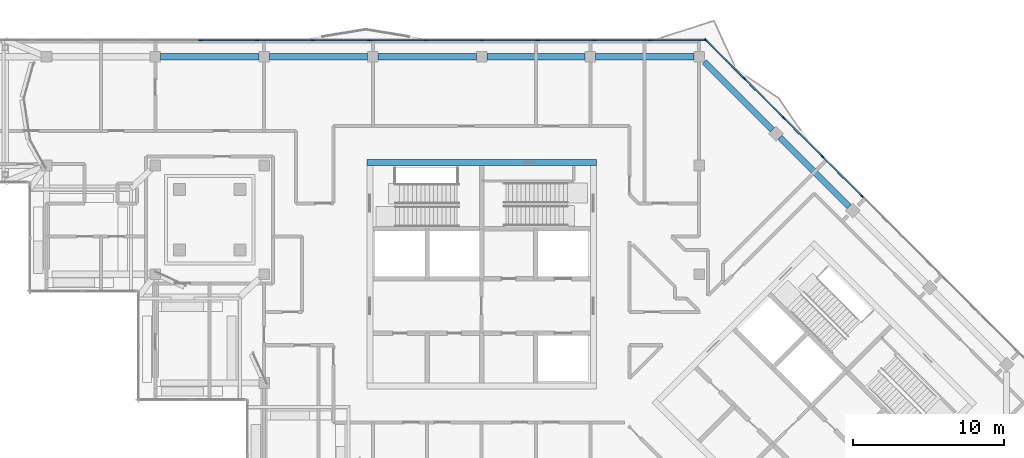
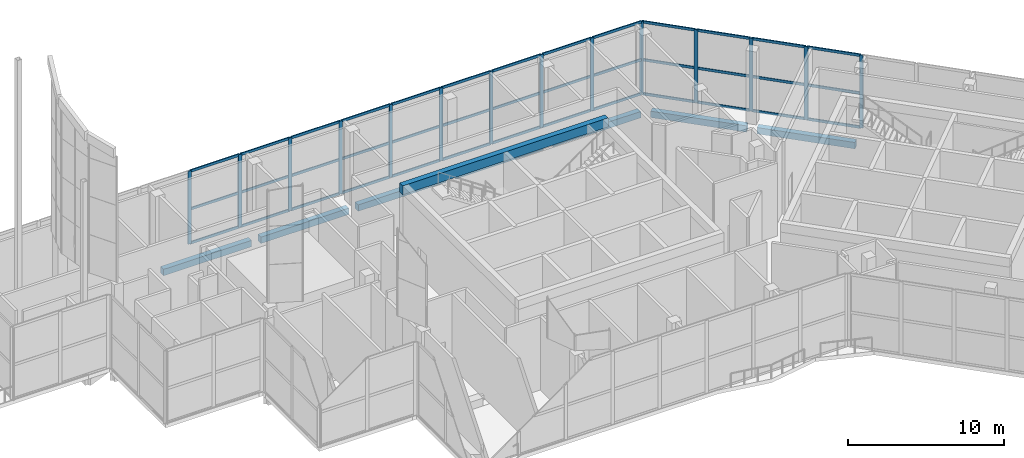
# One storey, part 7 of 19: 53 members, 8 beams, 2 elements without a shape of their own.
"""IFC4 building model written with IfcOpenShell, lengths in metres."""

from ifc_helpers import new_model, si_unit, direction, frame, origin, origin_2d, place, context, subcontext, project, spatial, rectangle, extrude, material, material_profile, profile_set, type_object, element, aggregate, save


model = new_model("IFC4")

# Units and contexts
model_context = context("Model", 3, precision=1e-05, world=origin(), true_north=direction((0.0, 1.0)))
body_context = subcontext(model_context, "Body", "Model", "MODEL_VIEW")
ifc_project = project(units=[si_unit("LENGTHUNIT", "METRE"), si_unit("AREAUNIT", "SQUARE_METRE"), si_unit("VOLUMEUNIT", "CUBIC_METRE"), si_unit("PLANEANGLEUNIT", "RADIAN"), si_unit("MASSUNIT", "GRAM", prefix="KILO")], contexts=[model_context])

# Site, building, storey
site_placement = place(None, origin())
site = spatial("IfcSite", under=ifc_project, at=site_placement, CompositionType="ELEMENT")
building_placement = place(site_placement, origin())
building = spatial("IfcBuilding", under=site, at=building_placement, Name="Windrow Commons", CompositionType="ELEMENT")
storey_placement = place(building_placement, frame((0.0, 0.0, 284.6)))
storey = spatial("IfcBuildingStorey", under=building, at=storey_placement, Name="L78", CompositionType="ELEMENT", Elevation=284.6)

# Curtain wall, members
ifc_material_1 = material(Name="Clear laminated glass in Aluminium 6063-T6 anodised frame", Category="aluminium")
curtain_wall_type = type_object("IfcCurtainWallType", Name="Curtain wall CW3 damper floor", PredefinedType="USERDEFINED", material=ifc_material_1)
placement = place(storey_placement, origin())
curtain_wall_1 = element("IfcCurtainWall", 1, at=placement, inside=storey, type_object=curtain_wall_type, Name="Curtain wall CW3 L78 4", ObjectType="STRUCTURAL SILICONE", PredefinedType="USERDEFINED")
ifc_material_2 = material(Name="Aluminium 6063-T6", Category="aluminium")
ifc_material_profile_1 = material_profile(ifc_material_2, rectangle(XDim=0.08, YDim=0.25, at=origin_2d()))
ifc_profile_set_1 = profile_set([ifc_material_profile_1], Name="Aluminium 6063-T6")
member_type_1 = type_object("IfcMemberType", Name="CW3 mullion 80x250", PredefinedType="MULLION", material=ifc_profile_set_1)
member_1_placement = place(storey_placement, frame((89.9649, 62.7908, 0.0), z_axis=(0.0, 0.0, 1.0), x_axis=(-0.7071067812, -0.7071067812, 0.0)))
member_1 = element("IfcMember", 2, at=member_1_placement, type_object=member_type_1, Name="CW3 mullion 6", PredefinedType="MULLION", context=body_context, shape_type="SweptSolid", body=[
    extrude(rectangle(XDim=0.08, YDim=0.25, at=origin_2d()), origin(), (0.0, 0.0, 1.0), 5.7),
])
member_2_placement = place(storey_placement, frame((87.3803, 65.3754, 0.0), z_axis=(0.0, 0.0, 1.0), x_axis=(-0.7071067812, -0.7071067812, 0.0)))
member_2 = element("IfcMember", 3, at=member_2_placement, type_object=member_type_1, Name="CW3 mullion 7", PredefinedType="MULLION", context=body_context, shape_type="SweptSolid", body=[
    extrude(rectangle(XDim=0.08, YDim=0.25, at=origin_2d()), origin(), (0.0, 0.0, 1.0), 5.7),
])
member_3_placement = place(storey_placement, frame((84.7957, 67.96, 0.0), z_axis=(0.0, 0.0, 1.0), x_axis=(-0.7071067812, -0.7071067812, 0.0)))
member_3 = element("IfcMember", 4, at=member_3_placement, type_object=member_type_1, Name="CW3 mullion 8", PredefinedType="MULLION", context=body_context, shape_type="SweptSolid", body=[
    extrude(rectangle(XDim=0.08, YDim=0.25, at=origin_2d()), origin(), (0.0, 0.0, 1.0), 5.7),
])
member_4_placement = place(storey_placement, frame((82.211, 70.5447, 0.0), z_axis=(0.0, 0.0, 1.0), x_axis=(-0.7071067812, -0.7071067812, 0.0)))
member_4 = element("IfcMember", 5, at=member_4_placement, type_object=member_type_1, Name="CW3 mullion 9", PredefinedType="MULLION", context=body_context, shape_type="SweptSolid", body=[
    extrude(rectangle(XDim=0.08, YDim=0.25, at=origin_2d()), origin(), (0.0, 0.0, 1.0), 5.7),
])
member_5_placement = place(storey_placement, frame((79.6547, 73.101, 0.0), z_axis=(0.0, 0.0, 1.0), x_axis=(-0.7071067812, -0.7071067812, 0.0)))
member_5 = element("IfcMember", 6, at=member_5_placement, type_object=member_type_1, Name="CW3 mullion 10", PredefinedType="MULLION", context=body_context, shape_type="SweptSolid", body=[
    extrude(rectangle(XDim=0.08, YDim=0.25, at=origin_2d()), origin(), (0.0, 0.0, 1.0), 5.7),
])

curtain_wall_2 = element("IfcCurtainWall", 7, at=placement, inside=storey, type_object=curtain_wall_type, Name="Curtain wall CW3 L78 5", ObjectType="STRUCTURAL SILICONE", PredefinedType="USERDEFINED")
member_6_placement = place(storey_placement, frame((75.9759, 73.1, 0.0), z_axis=(0.0, 0.0, 1.0), x_axis=(0.0, -1.0, 0.0)))
member_6 = element("IfcMember", 8, at=member_6_placement, type_object=member_type_1, Name="CW3 mullion 2", PredefinedType="MULLION", context=body_context, shape_type="SweptSolid", body=[
    extrude(rectangle(XDim=0.08, YDim=0.25, at=origin_2d()), origin(), (0.0, 0.0, 1.0), 5.7),
])
member_7_placement = place(storey_placement, frame((72.2547, 73.1, 0.0), z_axis=(0.0, 0.0, 1.0), x_axis=(0.0, -1.0, 0.0)))
member_7 = element("IfcMember", 9, at=member_7_placement, type_object=member_type_1, Name="CW3 mullion 3", PredefinedType="MULLION", context=body_context, shape_type="SweptSolid", body=[
    extrude(rectangle(XDim=0.08, YDim=0.25, at=origin_2d()), origin(), (0.0, 0.0, 1.0), 5.7),
])
member_8_placement = place(storey_placement, frame((68.5334, 73.1, 0.0), z_axis=(0.0, 0.0, 1.0), x_axis=(0.0, -1.0, 0.0)))
member_8 = element("IfcMember", 10, at=member_8_placement, type_object=member_type_1, Name="CW3 mullion 4", PredefinedType="MULLION", context=body_context, shape_type="SweptSolid", body=[
    extrude(rectangle(XDim=0.08, YDim=0.25, at=origin_2d()), origin(), (0.0, 0.0, 1.0), 5.7),
])
member_9_placement = place(storey_placement, frame((64.8122, 73.1, 0.0), z_axis=(0.0, 0.0, 1.0), x_axis=(0.0, -1.0, 0.0)))
member_9 = element("IfcMember", 11, at=member_9_placement, type_object=member_type_1, Name="CW3 mullion 5", PredefinedType="MULLION", context=body_context, shape_type="SweptSolid", body=[
    extrude(rectangle(XDim=0.08, YDim=0.25, at=origin_2d()), origin(), (0.0, 0.0, 1.0), 5.7),
])
member_10_placement = place(storey_placement, frame((61.091, 73.1, 0.0), z_axis=(0.0, 0.0, 1.0), x_axis=(0.0, -1.0, 0.0)))
member_10 = element("IfcMember", 12, at=member_10_placement, type_object=member_type_1, Name="CW3 mullion 6", PredefinedType="MULLION", context=body_context, shape_type="SweptSolid", body=[
    extrude(rectangle(XDim=0.08, YDim=0.25, at=origin_2d()), origin(), (0.0, 0.0, 1.0), 5.7),
])
member_11_placement = place(storey_placement, frame((57.3698, 73.1, 0.0), z_axis=(0.0, 0.0, 1.0), x_axis=(0.0, -1.0, 0.0)))
member_11 = element("IfcMember", 13, at=member_11_placement, type_object=member_type_1, Name="CW3 mullion 7", PredefinedType="MULLION", context=body_context, shape_type="SweptSolid", body=[
    extrude(rectangle(XDim=0.08, YDim=0.25, at=origin_2d()), origin(), (0.0, 0.0, 1.0), 5.7),
])
member_12_placement = place(storey_placement, frame((53.6486, 73.1, 0.0), z_axis=(0.0, 0.0, 1.0), x_axis=(0.0, -1.0, 0.0)))
member_12 = element("IfcMember", 14, at=member_12_placement, type_object=member_type_1, Name="CW3 mullion 8", PredefinedType="MULLION", context=body_context, shape_type="SweptSolid", body=[
    extrude(rectangle(XDim=0.08, YDim=0.25, at=origin_2d()), origin(), (0.0, 0.0, 1.0), 5.7),
])
member_13_placement = place(storey_placement, frame((49.9273, 73.1, 0.0), z_axis=(0.0, 0.0, 1.0), x_axis=(0.0, -1.0, 0.0)))
member_13 = element("IfcMember", 15, at=member_13_placement, type_object=member_type_1, Name="CW3 mullion 9", PredefinedType="MULLION", context=body_context, shape_type="SweptSolid", body=[
    extrude(rectangle(XDim=0.08, YDim=0.25, at=origin_2d()), origin(), (0.0, 0.0, 1.0), 5.7),
])
member_14_placement = place(storey_placement, frame((46.2061, 73.1, 0.0), z_axis=(0.0, 0.0, 1.0), x_axis=(0.0, -1.0, 0.0)))
member_14 = element("IfcMember", 16, at=member_14_placement, type_object=member_type_1, Name="CW3 mullion 10", PredefinedType="MULLION", context=body_context, shape_type="SweptSolid", body=[
    extrude(rectangle(XDim=0.08, YDim=0.25, at=origin_2d()), origin(), (0.0, 0.0, 1.0), 5.7),
])

# Member
ifc_material_3 = material(Name="Aluminium 6063-T6", Category="aluminium")
ifc_material_profile_2 = material_profile(ifc_material_3, rectangle(XDim=0.08, YDim=0.2, at=origin_2d()))
ifc_profile_set_2 = profile_set([ifc_material_profile_2], Name="Aluminium 6063-T6")
member_type_2 = type_object("IfcMemberType", Name="CW3 transom 80x200", PredefinedType="USERDEFINED", material=ifc_profile_set_2)
member_15_placement = place(storey_placement, frame((89.9366, 62.819, 0.04), z_axis=(-0.7070927958, 0.7071207663, 0.0), x_axis=(-0.7071207663, -0.7070927958, 0.0)))
member_15 = element("IfcMember", 17, at=member_15_placement, type_object=member_type_2, Name="CW3 transom 6.1", ObjectType="TRANSOM", PredefinedType="USERDEFINED", context=body_context, shape_type="SweptSolid", body=[
    extrude(rectangle(XDim=0.08, YDim=0.2, at=origin_2d()), origin(), (0.0, 0.0, 1.0), 3.5752),
])

member_16_placement = place(storey_placement, frame((89.9366, 62.819, 2.7), z_axis=(-0.7070927958, 0.7071207663, 0.0), x_axis=(-0.7071207663, -0.7070927958, 0.0)))
member_16 = element("IfcMember", 18, at=member_16_placement, type_object=member_type_2, Name="CW3 transom 6.2", ObjectType="TRANSOM", PredefinedType="USERDEFINED", context=body_context, shape_type="SweptSolid", body=[
    extrude(rectangle(XDim=0.08, YDim=0.2, at=origin_2d()), origin(), (0.0, 0.0, 1.0), 3.5752),
])

member_17_placement = place(storey_placement, frame((89.9366, 62.819, 5.66), z_axis=(-0.7070927958, 0.7071207663, 0.0), x_axis=(-0.7071207663, -0.7070927958, 0.0)))
member_17 = element("IfcMember", 19, at=member_17_placement, type_object=member_type_2, Name="CW3 transom 6.3", ObjectType="TRANSOM", PredefinedType="USERDEFINED", context=body_context, shape_type="SweptSolid", body=[
    extrude(rectangle(XDim=0.08, YDim=0.2, at=origin_2d()), origin(), (0.0, 0.0, 1.0), 3.5752),
])

member_18_placement = place(storey_placement, frame((87.352, 65.4037, 0.04), z_axis=(-0.7071207663, 0.7070927958, 0.0), x_axis=(-0.7070927958, -0.7071207663, 0.0)))
member_18 = element("IfcMember", 20, at=member_18_placement, type_object=member_type_2, Name="CW3 transom 7.1", ObjectType="TRANSOM", PredefinedType="USERDEFINED", context=body_context, shape_type="SweptSolid", body=[
    extrude(rectangle(XDim=0.08, YDim=0.2, at=origin_2d()), origin(), (0.0, 0.0, 1.0), 3.5752),
])

member_19_placement = place(storey_placement, frame((87.352, 65.4037, 2.7), z_axis=(-0.7071207663, 0.7070927958, 0.0), x_axis=(-0.7070927958, -0.7071207663, 0.0)))
member_19 = element("IfcMember", 21, at=member_19_placement, type_object=member_type_2, Name="CW3 transom 7.2", ObjectType="TRANSOM", PredefinedType="USERDEFINED", context=body_context, shape_type="SweptSolid", body=[
    extrude(rectangle(XDim=0.08, YDim=0.2, at=origin_2d()), origin(), (0.0, 0.0, 1.0), 3.5752),
])

member_20_placement = place(storey_placement, frame((87.352, 65.4037, 5.66), z_axis=(-0.7071207663, 0.7070927958, 0.0), x_axis=(-0.7070927958, -0.7071207663, 0.0)))
member_20 = element("IfcMember", 22, at=member_20_placement, type_object=member_type_2, Name="CW3 transom 7.3", ObjectType="TRANSOM", PredefinedType="USERDEFINED", context=body_context, shape_type="SweptSolid", body=[
    extrude(rectangle(XDim=0.08, YDim=0.2, at=origin_2d()), origin(), (0.0, 0.0, 1.0), 3.5752),
])

member_21_placement = place(storey_placement, frame((84.7674, 67.9883, 0.04), z_axis=(-0.7071067812, 0.7071067812, 0.0), x_axis=(-0.7071067812, -0.7071067812, 0.0)))
member_21 = element("IfcMember", 23, at=member_21_placement, type_object=member_type_2, Name="CW3 transom 8.1", ObjectType="TRANSOM", PredefinedType="USERDEFINED", context=body_context, shape_type="SweptSolid", body=[
    extrude(rectangle(XDim=0.08, YDim=0.2, at=origin_2d()), origin(), (0.0, 0.0, 1.0), 3.5753),
])

member_22_placement = place(storey_placement, frame((84.7674, 67.9883, 2.7), z_axis=(-0.7071067812, 0.7071067812, 0.0), x_axis=(-0.7071067812, -0.7071067812, 0.0)))
member_22 = element("IfcMember", 24, at=member_22_placement, type_object=member_type_2, Name="CW3 transom 8.2", ObjectType="TRANSOM", PredefinedType="USERDEFINED", context=body_context, shape_type="SweptSolid", body=[
    extrude(rectangle(XDim=0.08, YDim=0.2, at=origin_2d()), origin(), (0.0, 0.0, 1.0), 3.5753),
])

member_23_placement = place(storey_placement, frame((84.7674, 67.9883, 5.66), z_axis=(-0.7071067812, 0.7071067812, 0.0), x_axis=(-0.7071067812, -0.7071067812, 0.0)))
member_23 = element("IfcMember", 25, at=member_23_placement, type_object=member_type_2, Name="CW3 transom 8.3", ObjectType="TRANSOM", PredefinedType="USERDEFINED", context=body_context, shape_type="SweptSolid", body=[
    extrude(rectangle(XDim=0.08, YDim=0.2, at=origin_2d()), origin(), (0.0, 0.0, 1.0), 3.5753),
])

member_24_placement = place(storey_placement, frame((82.1827, 70.5729, 0.04), z_axis=(-0.7070926375, 0.7071209246, 0.0), x_axis=(-0.7071209246, -0.7070926375, 0.0)))
member_24 = element("IfcMember", 26, at=member_24_placement, type_object=member_type_2, Name="CW3 transom 9.1", ObjectType="TRANSOM", PredefinedType="USERDEFINED", context=body_context, shape_type="SweptSolid", body=[
    extrude(rectangle(XDim=0.08, YDim=0.2, at=origin_2d()), origin(), (0.0, 0.0, 1.0), 3.5352),
])

member_25_placement = place(storey_placement, frame((82.1827, 70.5729, 2.7), z_axis=(-0.7070926375, 0.7071209246, 0.0), x_axis=(-0.7071209246, -0.7070926375, 0.0)))
member_25 = element("IfcMember", 27, at=member_25_placement, type_object=member_type_2, Name="CW3 transom 9.2", ObjectType="TRANSOM", PredefinedType="USERDEFINED", context=body_context, shape_type="SweptSolid", body=[
    extrude(rectangle(XDim=0.08, YDim=0.2, at=origin_2d()), origin(), (0.0, 0.0, 1.0), 3.5352),
])

member_26_placement = place(storey_placement, frame((82.1827, 70.5729, 5.66), z_axis=(-0.7070926375, 0.7071209246, 0.0), x_axis=(-0.7071209246, -0.7070926375, 0.0)))
member_26 = element("IfcMember", 28, at=member_26_placement, type_object=member_type_2, Name="CW3 transom 9.3", ObjectType="TRANSOM", PredefinedType="USERDEFINED", context=body_context, shape_type="SweptSolid", body=[
    extrude(rectangle(XDim=0.08, YDim=0.2, at=origin_2d()), origin(), (0.0, 0.0, 1.0), 3.5352),
])

aggregate(curtain_wall_1, [member_1, member_2, member_3, member_4, member_5, member_15, member_16, member_17, member_18, member_19, member_20, member_21, member_22, member_23, member_24, member_25, member_26])

member_27_placement = place(storey_placement, frame((79.6171, 73.1, 0.04), z_axis=(-1.0, 0.0, 0.0), x_axis=(0.0, -1.0, 0.0)))
member_27 = element("IfcMember", 29, at=member_27_placement, type_object=member_type_2, Name="CW3 transom 1.1", ObjectType="TRANSOM", PredefinedType="USERDEFINED", context=body_context, shape_type="SweptSolid", body=[
    extrude(rectangle(XDim=0.08, YDim=0.2, at=origin_2d()), origin(), (0.0, 0.0, 1.0), 3.6012),
])

member_28_placement = place(storey_placement, frame((79.6171, 73.1, 2.7), z_axis=(-1.0, 0.0, 0.0), x_axis=(0.0, -1.0, 0.0)))
member_28 = element("IfcMember", 30, at=member_28_placement, type_object=member_type_2, Name="CW3 transom 1.2", ObjectType="TRANSOM", PredefinedType="USERDEFINED", context=body_context, shape_type="SweptSolid", body=[
    extrude(rectangle(XDim=0.08, YDim=0.2, at=origin_2d()), origin(), (0.0, 0.0, 1.0), 3.6012),
])

member_29_placement = place(storey_placement, frame((79.6171, 73.1, 5.66), z_axis=(-1.0, 0.0, 0.0), x_axis=(0.0, -1.0, 0.0)))
member_29 = element("IfcMember", 31, at=member_29_placement, type_object=member_type_2, Name="CW3 transom 1.3", ObjectType="TRANSOM", PredefinedType="USERDEFINED", context=body_context, shape_type="SweptSolid", body=[
    extrude(rectangle(XDim=0.08, YDim=0.2, at=origin_2d()), origin(), (0.0, 0.0, 1.0), 3.6012),
])

member_30_placement = place(storey_placement, frame((75.9359, 73.1, 0.04), z_axis=(-1.0, 0.0, 0.0), x_axis=(0.0, -1.0, 0.0)))
member_30 = element("IfcMember", 32, at=member_30_placement, type_object=member_type_2, Name="CW3 transom 2.1", ObjectType="TRANSOM", PredefinedType="USERDEFINED", context=body_context, shape_type="SweptSolid", body=[
    extrude(rectangle(XDim=0.08, YDim=0.2, at=origin_2d()), origin(), (0.0, 0.0, 1.0), 3.6412),
])

member_31_placement = place(storey_placement, frame((75.9359, 73.1, 2.7), z_axis=(-1.0, 0.0, 0.0), x_axis=(0.0, -1.0, 0.0)))
member_31 = element("IfcMember", 33, at=member_31_placement, type_object=member_type_2, Name="CW3 transom 2.2", ObjectType="TRANSOM", PredefinedType="USERDEFINED", context=body_context, shape_type="SweptSolid", body=[
    extrude(rectangle(XDim=0.08, YDim=0.2, at=origin_2d()), origin(), (0.0, 0.0, 1.0), 3.6412),
])

member_32_placement = place(storey_placement, frame((75.9359, 73.1, 5.66), z_axis=(-1.0, 0.0, 0.0), x_axis=(0.0, -1.0, 0.0)))
member_32 = element("IfcMember", 34, at=member_32_placement, type_object=member_type_2, Name="CW3 transom 2.3", ObjectType="TRANSOM", PredefinedType="USERDEFINED", context=body_context, shape_type="SweptSolid", body=[
    extrude(rectangle(XDim=0.08, YDim=0.2, at=origin_2d()), origin(), (0.0, 0.0, 1.0), 3.6412),
])

member_33_placement = place(storey_placement, frame((72.2147, 73.1, 0.04), z_axis=(-1.0, 0.0, 0.0), x_axis=(0.0, -1.0, 0.0)))
member_33 = element("IfcMember", 35, at=member_33_placement, type_object=member_type_2, Name="CW3 transom 3.1", ObjectType="TRANSOM", PredefinedType="USERDEFINED", context=body_context, shape_type="SweptSolid", body=[
    extrude(rectangle(XDim=0.08, YDim=0.2, at=origin_2d()), origin(), (0.0, 0.0, 1.0), 3.6413),
])

member_34_placement = place(storey_placement, frame((72.2147, 73.1, 2.7), z_axis=(-1.0, 0.0, 0.0), x_axis=(0.0, -1.0, 0.0)))
member_34 = element("IfcMember", 36, at=member_34_placement, type_object=member_type_2, Name="CW3 transom 3.2", ObjectType="TRANSOM", PredefinedType="USERDEFINED", context=body_context, shape_type="SweptSolid", body=[
    extrude(rectangle(XDim=0.08, YDim=0.2, at=origin_2d()), origin(), (0.0, 0.0, 1.0), 3.6413),
])

member_35_placement = place(storey_placement, frame((72.2147, 73.1, 5.66), z_axis=(-1.0, 0.0, 0.0), x_axis=(0.0, -1.0, 0.0)))
member_35 = element("IfcMember", 37, at=member_35_placement, type_object=member_type_2, Name="CW3 transom 3.3", ObjectType="TRANSOM", PredefinedType="USERDEFINED", context=body_context, shape_type="SweptSolid", body=[
    extrude(rectangle(XDim=0.08, YDim=0.2, at=origin_2d()), origin(), (0.0, 0.0, 1.0), 3.6413),
])

member_36_placement = place(storey_placement, frame((68.4934, 73.1, 0.04), z_axis=(-1.0, 0.0, 0.0), x_axis=(0.0, -1.0, 0.0)))
member_36 = element("IfcMember", 38, at=member_36_placement, type_object=member_type_2, Name="CW3 transom 4.1", ObjectType="TRANSOM", PredefinedType="USERDEFINED", context=body_context, shape_type="SweptSolid", body=[
    extrude(rectangle(XDim=0.08, YDim=0.2, at=origin_2d()), origin(), (0.0, 0.0, 1.0), 3.6412),
])

member_37_placement = place(storey_placement, frame((68.4934, 73.1, 2.7), z_axis=(-1.0, 0.0, 0.0), x_axis=(0.0, -1.0, 0.0)))
member_37 = element("IfcMember", 39, at=member_37_placement, type_object=member_type_2, Name="CW3 transom 4.2", ObjectType="TRANSOM", PredefinedType="USERDEFINED", context=body_context, shape_type="SweptSolid", body=[
    extrude(rectangle(XDim=0.08, YDim=0.2, at=origin_2d()), origin(), (0.0, 0.0, 1.0), 3.6412),
])

member_38_placement = place(storey_placement, frame((68.4934, 73.1, 5.66), z_axis=(-1.0, 0.0, 0.0), x_axis=(0.0, -1.0, 0.0)))
member_38 = element("IfcMember", 40, at=member_38_placement, type_object=member_type_2, Name="CW3 transom 4.3", ObjectType="TRANSOM", PredefinedType="USERDEFINED", context=body_context, shape_type="SweptSolid", body=[
    extrude(rectangle(XDim=0.08, YDim=0.2, at=origin_2d()), origin(), (0.0, 0.0, 1.0), 3.6412),
])

member_39_placement = place(storey_placement, frame((64.7722, 73.1, 0.04), z_axis=(-1.0, 0.0, 0.0), x_axis=(0.0, -1.0, 0.0)))
member_39 = element("IfcMember", 41, at=member_39_placement, type_object=member_type_2, Name="CW3 transom 5.1", ObjectType="TRANSOM", PredefinedType="USERDEFINED", context=body_context, shape_type="SweptSolid", body=[
    extrude(rectangle(XDim=0.08, YDim=0.2, at=origin_2d()), origin(), (0.0, 0.0, 1.0), 3.6412),
])

member_40_placement = place(storey_placement, frame((64.7722, 73.1, 2.7), z_axis=(-1.0, 0.0, 0.0), x_axis=(0.0, -1.0, 0.0)))
member_40 = element("IfcMember", 42, at=member_40_placement, type_object=member_type_2, Name="CW3 transom 5.2", ObjectType="TRANSOM", PredefinedType="USERDEFINED", context=body_context, shape_type="SweptSolid", body=[
    extrude(rectangle(XDim=0.08, YDim=0.2, at=origin_2d()), origin(), (0.0, 0.0, 1.0), 3.6412),
])

member_41_placement = place(storey_placement, frame((64.7722, 73.1, 5.66), z_axis=(-1.0, 0.0, 0.0), x_axis=(0.0, -1.0, 0.0)))
member_41 = element("IfcMember", 43, at=member_41_placement, type_object=member_type_2, Name="CW3 transom 5.3", ObjectType="TRANSOM", PredefinedType="USERDEFINED", context=body_context, shape_type="SweptSolid", body=[
    extrude(rectangle(XDim=0.08, YDim=0.2, at=origin_2d()), origin(), (0.0, 0.0, 1.0), 3.6412),
])

member_42_placement = place(storey_placement, frame((61.051, 73.1, 0.04), z_axis=(-1.0, 0.0, 0.0), x_axis=(0.0, -1.0, 0.0)))
member_42 = element("IfcMember", 44, at=member_42_placement, type_object=member_type_2, Name="CW3 transom 6.1", ObjectType="TRANSOM", PredefinedType="USERDEFINED", context=body_context, shape_type="SweptSolid", body=[
    extrude(rectangle(XDim=0.08, YDim=0.2, at=origin_2d()), origin(), (0.0, 0.0, 1.0), 3.6412),
])

member_43_placement = place(storey_placement, frame((61.051, 73.1, 2.7), z_axis=(-1.0, 0.0, 0.0), x_axis=(0.0, -1.0, 0.0)))
member_43 = element("IfcMember", 45, at=member_43_placement, type_object=member_type_2, Name="CW3 transom 6.2", ObjectType="TRANSOM", PredefinedType="USERDEFINED", context=body_context, shape_type="SweptSolid", body=[
    extrude(rectangle(XDim=0.08, YDim=0.2, at=origin_2d()), origin(), (0.0, 0.0, 1.0), 3.6412),
])

member_44_placement = place(storey_placement, frame((61.051, 73.1, 5.66), z_axis=(-1.0, 0.0, 0.0), x_axis=(0.0, -1.0, 0.0)))
member_44 = element("IfcMember", 46, at=member_44_placement, type_object=member_type_2, Name="CW3 transom 6.3", ObjectType="TRANSOM", PredefinedType="USERDEFINED", context=body_context, shape_type="SweptSolid", body=[
    extrude(rectangle(XDim=0.08, YDim=0.2, at=origin_2d()), origin(), (0.0, 0.0, 1.0), 3.6412),
])

member_45_placement = place(storey_placement, frame((57.3298, 73.1, 0.04), z_axis=(-1.0, 0.0, 0.0), x_axis=(0.0, -1.0, 0.0)))
member_45 = element("IfcMember", 47, at=member_45_placement, type_object=member_type_2, Name="CW3 transom 7.1", ObjectType="TRANSOM", PredefinedType="USERDEFINED", context=body_context, shape_type="SweptSolid", body=[
    extrude(rectangle(XDim=0.08, YDim=0.2, at=origin_2d()), origin(), (0.0, 0.0, 1.0), 3.6413),
])

member_46_placement = place(storey_placement, frame((57.3298, 73.1, 2.7), z_axis=(-1.0, 0.0, 0.0), x_axis=(0.0, -1.0, 0.0)))
member_46 = element("IfcMember", 48, at=member_46_placement, type_object=member_type_2, Name="CW3 transom 7.2", ObjectType="TRANSOM", PredefinedType="USERDEFINED", context=body_context, shape_type="SweptSolid", body=[
    extrude(rectangle(XDim=0.08, YDim=0.2, at=origin_2d()), origin(), (0.0, 0.0, 1.0), 3.6413),
])

member_47_placement = place(storey_placement, frame((57.3298, 73.1, 5.66), z_axis=(-1.0, 0.0, 0.0), x_axis=(0.0, -1.0, 0.0)))
member_47 = element("IfcMember", 49, at=member_47_placement, type_object=member_type_2, Name="CW3 transom 7.3", ObjectType="TRANSOM", PredefinedType="USERDEFINED", context=body_context, shape_type="SweptSolid", body=[
    extrude(rectangle(XDim=0.08, YDim=0.2, at=origin_2d()), origin(), (0.0, 0.0, 1.0), 3.6413),
])

member_48_placement = place(storey_placement, frame((53.6086, 73.1, 0.04), z_axis=(-1.0, 0.0, 0.0), x_axis=(0.0, -1.0, 0.0)))
member_48 = element("IfcMember", 50, at=member_48_placement, type_object=member_type_2, Name="CW3 transom 8.1", ObjectType="TRANSOM", PredefinedType="USERDEFINED", context=body_context, shape_type="SweptSolid", body=[
    extrude(rectangle(XDim=0.08, YDim=0.2, at=origin_2d()), origin(), (0.0, 0.0, 1.0), 3.6413),
])

member_49_placement = place(storey_placement, frame((53.6086, 73.1, 2.7), z_axis=(-1.0, 0.0, 0.0), x_axis=(0.0, -1.0, 0.0)))
member_49 = element("IfcMember", 51, at=member_49_placement, type_object=member_type_2, Name="CW3 transom 8.2", ObjectType="TRANSOM", PredefinedType="USERDEFINED", context=body_context, shape_type="SweptSolid", body=[
    extrude(rectangle(XDim=0.08, YDim=0.2, at=origin_2d()), origin(), (0.0, 0.0, 1.0), 3.6413),
])

member_50_placement = place(storey_placement, frame((53.6086, 73.1, 5.66), z_axis=(-1.0, 0.0, 0.0), x_axis=(0.0, -1.0, 0.0)))
member_50 = element("IfcMember", 52, at=member_50_placement, type_object=member_type_2, Name="CW3 transom 8.3", ObjectType="TRANSOM", PredefinedType="USERDEFINED", context=body_context, shape_type="SweptSolid", body=[
    extrude(rectangle(XDim=0.08, YDim=0.2, at=origin_2d()), origin(), (0.0, 0.0, 1.0), 3.6413),
])

member_51_placement = place(storey_placement, frame((49.8873, 73.1, 0.04), z_axis=(-1.0, 0.0, 0.0), x_axis=(0.0, -1.0, 0.0)))
member_51 = element("IfcMember", 53, at=member_51_placement, type_object=member_type_2, Name="CW3 transom 9.1", ObjectType="TRANSOM", PredefinedType="USERDEFINED", context=body_context, shape_type="SweptSolid", body=[
    extrude(rectangle(XDim=0.08, YDim=0.2, at=origin_2d()), origin(), (0.0, 0.0, 1.0), 3.6412),
])

member_52_placement = place(storey_placement, frame((49.8873, 73.1, 2.7), z_axis=(-1.0, 0.0, 0.0), x_axis=(0.0, -1.0, 0.0)))
member_52 = element("IfcMember", 54, at=member_52_placement, type_object=member_type_2, Name="CW3 transom 9.2", ObjectType="TRANSOM", PredefinedType="USERDEFINED", context=body_context, shape_type="SweptSolid", body=[
    extrude(rectangle(XDim=0.08, YDim=0.2, at=origin_2d()), origin(), (0.0, 0.0, 1.0), 3.6412),
])

member_53_placement = place(storey_placement, frame((49.8873, 73.1, 5.66), z_axis=(-1.0, 0.0, 0.0), x_axis=(0.0, -1.0, 0.0)))
member_53 = element("IfcMember", 55, at=member_53_placement, type_object=member_type_2, Name="CW3 transom 9.3", ObjectType="TRANSOM", PredefinedType="USERDEFINED", context=body_context, shape_type="SweptSolid", body=[
    extrude(rectangle(XDim=0.08, YDim=0.2, at=origin_2d()), origin(), (0.0, 0.0, 1.0), 3.6412),
])

aggregate(curtain_wall_2, [member_6, member_7, member_8, member_9, member_10, member_11, member_12, member_13, member_14, member_27, member_28, member_29, member_30, member_31, member_32, member_33, member_34, member_35, member_36, member_37, member_38, member_39, member_40, member_41, member_42, member_43, member_44, member_45, member_46, member_47, member_48, member_49, member_50, member_51, member_52, member_53])

# Beams
ifc_material_4 = material(Name="Concrete C40/50", Category="concrete")
ifc_material_profile_3 = material_profile(ifc_material_4, rectangle(XDim=0.4, YDim=0.7, at=origin_2d()))
ifc_profile_set_3 = profile_set([ifc_material_profile_3], Name="Concrete C40/50")
beam_type_1 = type_object("IfcBeamType", Name="RC COUPLING BEAM 400x700 C40/50", PredefinedType="LINTEL", material=ifc_profile_set_3)
beam_1_placement = place(storey_placement, frame((57.2, 65.0, 5.35), z_axis=(1.0, 0.0, 0.0), x_axis=(0.0, 1.0, 0.0)))
element("IfcBeam", 56, at=beam_1_placement, inside=storey, type_object=beam_type_1, Name="Core A coupling beam outer-N", PredefinedType="LINTEL", context=body_context, shape_type="SweptSolid", body=[
    extrude(rectangle(XDim=0.4, YDim=0.7, at=origin_2d()), origin(), (0.0, 0.0, 1.0), 15.2),
])
ifc_material_5 = material(Name="Concrete C40/50", Category="concrete")
ifc_material_profile_4 = material_profile(ifc_material_5, rectangle(XDim=0.4, YDim=0.5, at=origin_2d()))
ifc_profile_set_4 = profile_set([ifc_material_profile_4], Name="Concrete C40/50")
beam_type_2 = type_object("IfcBeamType", Name="RC EDGE BEAM 400x500 C40/50", PredefinedType="SPANDREL", material=ifc_profile_set_4)
for number, where, z_axis, x_axis, name in (
    (57, (43.55, 72.0, -0.55), (1.0, 0.0, 0.0), (0.0, 1.0, 0.0), "Edge beam L78 011"),
    (58, (50.75, 72.0, -0.55), (1.0, 0.0, 0.0), (0.0, 1.0, 0.0), "Edge beam L78 012"),
    (59, (57.95, 72.0, -0.55), (1.0, 0.0, 0.0), (0.0, 1.0, 0.0), "Edge beam L78 013"),
    (60, (65.15, 72.0, -0.55), (1.0, 0.0, 0.0), (0.0, 1.0, 0.0), "Edge beam L78 014"),
    (61, (72.35, 72.0, -0.55), (1.0, 0.0, 0.0), (0.0, 1.0, 0.0), "Edge beam L78 015"),
):
    element("IfcBeam", number, at=place(storey_placement, frame(where, z_axis=z_axis, x_axis=x_axis)), inside=storey, type_object=beam_type_2, Name=name, PredefinedType="SPANDREL", context=body_context, shape_type="SweptSolid", body=[
        extrude(rectangle(XDim=0.4, YDim=0.5, at=origin_2d()), origin(), (0.0, 0.0, 1.0), 6.5),
    ])
beam_2_placement = place(storey_placement, frame((79.55, 71.65, -0.55), z_axis=(0.7071067812, -0.7071067812, 0.0), x_axis=(0.7071067812, 0.7071067812, 0.0)))
element("IfcBeam", 62, at=beam_2_placement, inside=storey, type_object=beam_type_2, Name="Edge beam L78 016", PredefinedType="SPANDREL", context=body_context, shape_type="SweptSolid", body=[
    extrude(rectangle(XDim=0.4, YDim=0.5, at=origin_2d()), origin(), (0.0, 0.0, 1.0), 6.3551),
])
beam_3_placement = place(storey_placement, frame((84.5387, 66.6613, -0.55), z_axis=(0.7071067812, -0.7071067812, 0.0), x_axis=(0.7071067812, 0.7071067812, 0.0)))
element("IfcBeam", 63, at=beam_3_placement, inside=storey, type_object=beam_type_2, Name="Edge beam L78 017", PredefinedType="SPANDREL", context=body_context, shape_type="SweptSolid", body=[
    extrude(rectangle(XDim=0.4, YDim=0.5, at=origin_2d()), origin(), (0.0, 0.0, 1.0), 6.4999),
])

save(model, "model.ifc")
